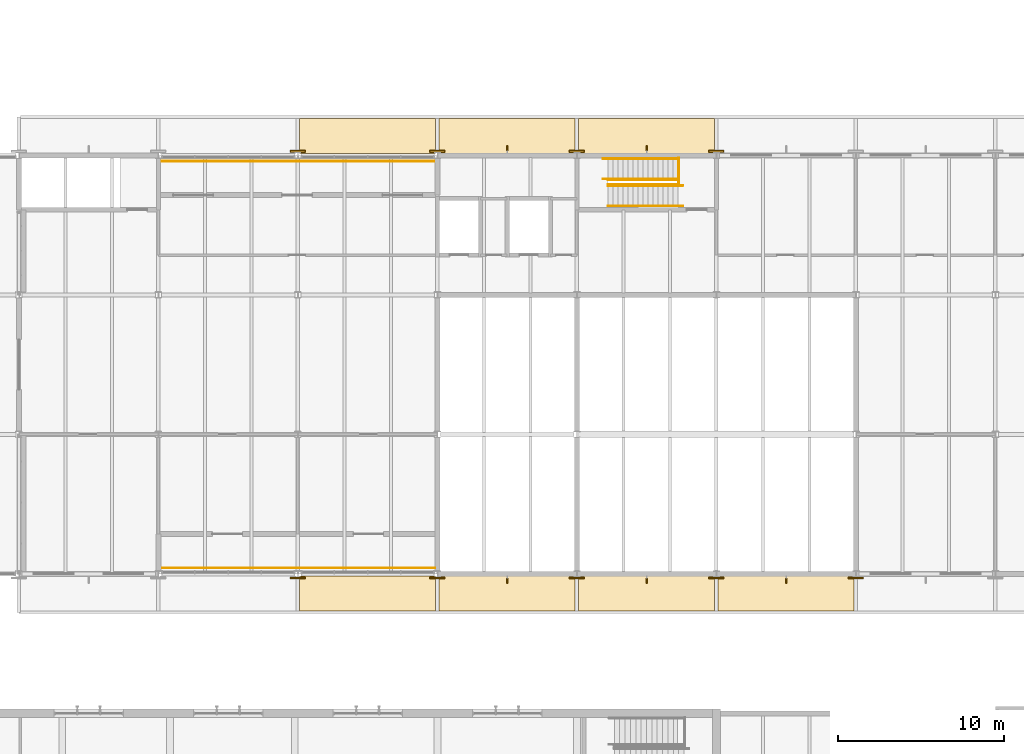
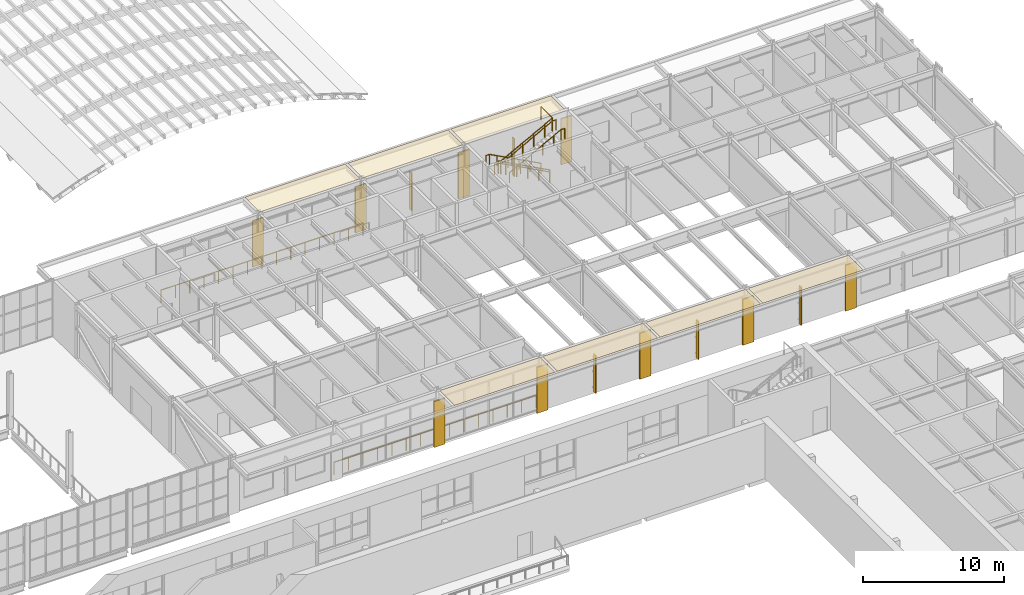
# One storey, part 114 of 116: 16 coverings, 9 railings, 5 shading devices.
"""IFC4 building model written with IfcOpenShell, lengths in metres."""

from ifc_helpers import new_model, si_unit, direction, frame, origin, origin_2d, place, context, subcontext, project, spatial, polyline, rectangle, circle, outline, extrude, material, layer, layer_set, type_object, element, save


model = new_model("IFC4")

# Units and contexts
model_context = context("Model", 3, precision=1e-05, world=origin(), true_north=direction((0.0, 1.0)))
body_context = subcontext(model_context, "Body", "Model", "MODEL_VIEW")
ifc_project = project(units=[si_unit("LENGTHUNIT", "METRE"), si_unit("AREAUNIT", "SQUARE_METRE"), si_unit("VOLUMEUNIT", "CUBIC_METRE"), si_unit("PLANEANGLEUNIT", "RADIAN"), si_unit("MASSUNIT", "GRAM", prefix="KILO")], contexts=[model_context])

# Site, building, storey
site_placement = place(None, origin())
site = spatial("IfcSite", under=ifc_project, at=site_placement, CompositionType="ELEMENT")
building_placement = place(site_placement, origin())
building = spatial("IfcBuilding", under=site, at=building_placement, Name="Ljudholm Concert House", CompositionType="ELEMENT")
storey_placement = place(building_placement, frame((0.0, 0.0, 10.199951171875)))
storey = spatial("IfcBuildingStorey", under=building, at=storey_placement, Name="L02", CompositionType="ELEMENT", Elevation=10.199951171875)

# Coverings
ifc_material_1 = material(Name="Aluminium extrusion with timber-grain PVDF finish", Category="aluminium")
ifc_layer_1 = layer(ifc_material_1, 0.030029296875)
ifc_layer_set_1 = layer_set([ifc_layer_1], Name="Aluminium extrusion with timber-grain PVDF finish")
covering_type_1 = type_object("IfcCoveringType", Name="ALUMINIUM EXTRUSION WITH TIMBER-GRAIN PVDF FINISH CEILING 30", PredefinedType="CEILING", material=ifc_layer_set_1)
covering_1_placement = place(storey_placement, frame((0.0, 0.0, 4.590087890625)))
element("IfcCovering", 1, at=covering_1_placement, inside=storey, type_object=covering_type_1, Name="Eave soffit", PredefinedType="CEILING", context=body_context, shape_type="SweptSolid", body=[
    extrude(outline(polyline([(71.3046875, 102.577880859375), (79.495361328125, 102.577880859375), (79.495361328125, 104.685546875), (71.3046875, 104.685546875), (71.3046875, 102.577880859375)])), origin(), (0.0, 0.0, 1.0), 0.030029296875),
])
covering_2_placement = place(storey_placement, frame((0.0, 0.0, 4.590087890625)))
element("IfcCovering", 2, at=covering_2_placement, inside=storey, type_object=covering_type_1, Name="Eave soffit", PredefinedType="CEILING", context=body_context, shape_type="SweptSolid", body=[
    extrude(outline(polyline([(79.70458984375, 102.577880859375), (87.895263671875, 102.577880859375), (87.895263671875, 104.685546875), (79.70458984375, 104.685546875), (79.70458984375, 102.577880859375)])), origin(), (0.0, 0.0, 1.0), 0.030029296875),
])
covering_3_placement = place(storey_placement, frame((0.0, 0.0, 4.590087890625)))
element("IfcCovering", 3, at=covering_3_placement, inside=storey, type_object=covering_type_1, Name="Eave soffit", PredefinedType="CEILING", context=body_context, shape_type="SweptSolid", body=[
    extrude(outline(polyline([(88.104736328125, 102.577880859375), (96.29541015625, 102.577880859375), (96.29541015625, 104.685546875), (88.104736328125, 104.685546875), (88.104736328125, 102.577880859375)])), origin(), (0.0, 0.0, 1.0), 0.030029296875),
])
covering_4_placement = place(storey_placement, frame((0.0, 0.0, 4.590087890625)))
element("IfcCovering", 4, at=covering_4_placement, inside=storey, type_object=covering_type_1, Name="Eave soffit", PredefinedType="CEILING", context=body_context, shape_type="SweptSolid", body=[
    extrude(outline(polyline([(96.504638671875, 102.577880859375), (104.6953125, 102.577880859375), (104.6953125, 104.685546875), (96.504638671875, 104.685546875), (96.504638671875, 102.577880859375)])), origin(), (0.0, 0.0, 1.0), 0.030029296875),
])
covering_5_placement = place(storey_placement, frame((0.0, 0.0, 4.590087890625)))
element("IfcCovering", 5, at=covering_5_placement, inside=storey, type_object=covering_type_1, Name="Eave soffit", PredefinedType="CEILING", context=body_context, shape_type="SweptSolid", body=[
    extrude(outline(polyline([(71.3046875, 130.114501953125), (79.495361328125, 130.114501953125), (79.495361328125, 132.22216796875), (71.3046875, 132.22216796875), (71.3046875, 130.114501953125)])), origin(), (0.0, 0.0, 1.0), 0.030029296875),
])
covering_6_placement = place(storey_placement, frame((0.0, 0.0, 4.590087890625)))
element("IfcCovering", 6, at=covering_6_placement, inside=storey, type_object=covering_type_1, Name="Eave soffit", PredefinedType="CEILING", context=body_context, shape_type="SweptSolid", body=[
    extrude(outline(polyline([(79.70458984375, 130.114501953125), (87.895263671875, 130.114501953125), (87.895263671875, 132.22216796875), (79.70458984375, 132.22216796875), (79.70458984375, 130.114501953125)])), origin(), (0.0, 0.0, 1.0), 0.030029296875),
])
covering_7_placement = place(storey_placement, frame((0.0, 0.0, 4.590087890625)))
element("IfcCovering", 7, at=covering_7_placement, inside=storey, type_object=covering_type_1, Name="Eave soffit", PredefinedType="CEILING", context=body_context, shape_type="SweptSolid", body=[
    extrude(outline(polyline([(88.104736328125, 130.114501953125), (96.29541015625, 130.114501953125), (96.29541015625, 132.22216796875), (88.104736328125, 132.22216796875), (88.104736328125, 130.114501953125)])), origin(), (0.0, 0.0, 1.0), 0.030029296875),
])

# Shading devices
ifc_material_2 = material(Name="Aluminium extrusion with timber-grain PVDF finish", Category="aluminium")
shading_device_type = type_object("IfcShadingDeviceType", Name="FACADE FIN 300x80", PredefinedType="SHUTTER", material=ifc_material_2)
for number, where, z_axis, x_axis, name in (
    (8, (83.800048828125, 130.419921875, 0.25), (0.0, 0.0, 1.0), (0.0, 1.0, 0.0), "Facade fin"),
    (9, (92.199951171875, 130.419921875, 0.25), (0.0, 0.0, 1.0), (0.0, 1.0, 0.0), "Facade fin"),
    (10, (83.800048828125, 104.3798828125, 0.25), (0.0, 0.0, 1.0), (0.0, -1.0, 0.0), "Facade fin"),
    (11, (92.199951171875, 104.3798828125, 0.25), (0.0, 0.0, 1.0), (0.0, -1.0, 0.0), "Facade fin"),
    (12, (100.60009765625, 104.3798828125, 0.25), (0.0, 0.0, 1.0), (0.0, -1.0, 0.0), "Facade fin"),
):
    element("IfcShadingDevice", number, at=place(storey_placement, frame(where, z_axis=z_axis, x_axis=x_axis)), inside=storey, type_object=shading_device_type, Name=name, PredefinedType="SHUTTER", context=body_context, shape_type="SweptSolid", body=[
        extrude(rectangle(XDim=0.300048828125, YDim=0.080078125, at=origin_2d()), origin(), (0.0, 0.0, 1.0), 3.27001953125),
    ])

# Railings
ifc_material_3 = material(Name="Steel ASTM A36", Category="steel")
railing_type_1 = type_object("IfcRailingType", Name="GUARD 1100", PredefinedType="GUARDRAIL", material=ifc_material_3)
railing_1_placement = place(storey_placement, frame((94.074951171875, 128.52490234375, 0.16015625)))
element("IfcRailing", 13, at=railing_1_placement, inside=storey, type_object=railing_type_1, Name="Guard", PredefinedType="GUARDRAIL", context=body_context, shape_type="SweptSolid", body=[
    extrude(circle(Radius=0.02490234375, at=origin_2d()), frame((0.0, 0.0, 1.0751953125), z_axis=(-0.88233968818, 0.0, 0.47061308382), x_axis=(0.0, -1.0, 0.0)), (0.0, 0.0, 1.0), 1.02001953125),
    extrude(circle(Radius=0.02490234375, at=origin_2d()), frame((-0.89990234375, 0.0, 1.55517578125), z_axis=(-0.882392687573, 0.0, 0.470513703219), x_axis=(0.0, -1.0, 0.0)), (0.0, 0.0, 1.0), 1.02001953125),
    extrude(circle(Radius=0.02490234375, at=origin_2d()), frame((-1.800048828125, 0.0, 2.03515625), z_axis=(-0.88233968818, 0.0, 0.47061308382), x_axis=(0.0, -1.0, 0.0)), (0.0, 0.0, 1.0), 1.02001953125),
    extrude(circle(Radius=0.02490234375, at=origin_2d()), frame((-2.699951171875, 0.0, 2.51513671875), z_axis=(-0.88233968818, 0.0, 0.47061308382), x_axis=(0.0, -1.0, 0.0)), (0.0, 0.0, 1.0), 1.02001953125),
    extrude(circle(Radius=0.02490234375, at=origin_2d()), frame((-3.599853515625, 0.0, 2.9951171875), z_axis=(-0.882343004153, 0.0, 0.470606866739), x_axis=(0.0, -1.0, 0.0)), (0.0, 0.0, 1.0), 0.68017578125),
    extrude(circle(Radius=0.02099609375, at=origin_2d()), origin(), (0.0, 0.0, 1.0), 1.050048828125),
    extrude(circle(Radius=0.02099609375, at=origin_2d()), frame((-0.89990234375, 0.0, 0.47998046875)), (0.0, 0.0, 1.0), 1.050048828125),
    extrude(circle(Radius=0.02099609375, at=origin_2d()), frame((-1.800048828125, 0.0, 0.9599609375)), (0.0, 0.0, 1.0), 1.050048828125),
    extrude(circle(Radius=0.02099609375, at=origin_2d()), frame((-2.699951171875, 0.0, 1.43994140625)), (0.0, 0.0, 1.0), 1.050048828125),
    extrude(circle(Radius=0.02099609375, at=origin_2d()), frame((-3.599853515625, 0.0, 1.919921875)), (0.0, 0.0, 1.0), 1.050048828125),
    extrude(circle(Radius=0.02099609375, at=origin_2d()), frame((-4.199951171875, 0.0, 2.239990234375)), (0.0, 0.0, 1.0), 1.050048828125),
])
railing_2_placement = place(storey_placement, frame((89.875, 128.22509765625, 2.56005859375)))
element("IfcRailing", 14, at=railing_2_placement, inside=storey, type_object=railing_type_1, Name="Guard", PredefinedType="GUARDRAIL", context=body_context, shape_type="SweptSolid", body=[
    extrude(circle(Radius=0.02490234375, at=origin_2d()), frame((0.0, 0.0, 1.0751953125), z_axis=(0.88233968818, 0.0, 0.47061308382), x_axis=(0.0, 1.0, 0.0)), (0.0, 0.0, 1.0), 1.02001953125),
    extrude(circle(Radius=0.02490234375, at=origin_2d()), frame((0.89990234375, 0.0, 1.55517578125), z_axis=(0.882392687573, 0.0, 0.470513703219), x_axis=(0.0, 1.0, 0.0)), (0.0, 0.0, 1.0), 1.02001953125),
    extrude(circle(Radius=0.02490234375, at=origin_2d()), frame((1.800048828125, 0.0, 2.03515625), z_axis=(0.88233968818, 0.0, 0.47061308382), x_axis=(0.0, 1.0, 0.0)), (0.0, 0.0, 1.0), 1.02001953125),
    extrude(circle(Radius=0.02490234375, at=origin_2d()), frame((2.699951171875, 0.0, 2.51513671875), z_axis=(0.882392687573, 0.0, 0.470513703219), x_axis=(0.0, 1.0, 0.0)), (0.0, 0.0, 1.0), 1.02001953125),
    extrude(circle(Radius=0.02490234375, at=origin_2d()), frame((3.60009765625, 0.0, 2.9951171875), z_axis=(0.88226346546, 0.0, 0.470755963866), x_axis=(0.0, 1.0, 0.0)), (0.0, 0.0, 1.0), 0.679931640625),
    extrude(circle(Radius=0.02099609375, at=origin_2d()), origin(), (0.0, 0.0, 1.0), 1.050048828125),
    extrude(circle(Radius=0.02099609375, at=origin_2d()), frame((0.89990234375, 0.0, 0.47998046875)), (0.0, 0.0, 1.0), 1.050048828125),
    extrude(circle(Radius=0.02099609375, at=origin_2d()), frame((1.800048828125, 0.0, 0.9599609375)), (0.0, 0.0, 1.0), 1.050048828125),
    extrude(circle(Radius=0.02099609375, at=origin_2d()), frame((2.699951171875, 0.0, 1.43994140625)), (0.0, 0.0, 1.0), 1.050048828125),
    extrude(circle(Radius=0.02099609375, at=origin_2d()), frame((3.60009765625, 0.0, 1.919921875)), (0.0, 0.0, 1.0), 1.050048828125),
    extrude(circle(Radius=0.02099609375, at=origin_2d()), frame((4.199951171875, 0.0, 2.239990234375)), (0.0, 0.0, 1.0), 1.050048828125),
])
railing_3_placement = place(storey_placement, frame((94.125, 129.85009765625, 4.800048828125)))
element("IfcRailing", 15, at=railing_3_placement, inside=storey, type_object=railing_type_1, Name="Guard", PredefinedType="GUARDRAIL", context=body_context, shape_type="SweptSolid", body=[
    extrude(circle(Radius=0.02490234375, at=origin_2d()), frame((0.0, 0.0, 1.0751953125), z_axis=(0.0, -1.0, 0.0), x_axis=(1.0, 0.0, 0.0)), (0.0, 0.0, 1.0), 1.60009765625),
    extrude(circle(Radius=0.02099609375, at=origin_2d()), origin(), (0.0, 0.0, 1.0), 1.050048828125),
    extrude(circle(Radius=0.02099609375, at=origin_2d()), frame((0.0, -1.60009765625, 0.0)), (0.0, 0.0, 1.0), 1.050048828125),
])
ifc_material_4 = material(Name="Steel ASTM A36", Category="steel")
railing_type_2 = type_object("IfcRailingType", Name="GUARD 1100 EXTERNAL", PredefinedType="GUARDRAIL", material=ifc_material_4)
railing_4_placement = place(storey_placement, frame((62.949951171875, 105.14990234375, 0.0)))
element("IfcRailing", 16, at=railing_4_placement, inside=storey, type_object=railing_type_2, Name="Loggia guard", PredefinedType="GUARDRAIL", context=body_context, shape_type="SweptSolid", body=[
    extrude(circle(Radius=0.02490234375, at=origin_2d()), frame((0.0, 0.0, 1.0751953125), z_axis=(1.0, 0.0, 0.0), x_axis=(0.0, 1.0, 0.0)), (0.0, 0.0, 1.0), 16.5),
    extrude(circle(Radius=0.02099609375, at=origin_2d()), origin(), (0.0, 0.0, 1.0), 1.050048828125),
    extrude(circle(Radius=0.02099609375, at=origin_2d()), frame((1.178466796875, 0.0, 0.0)), (0.0, 0.0, 1.0), 1.050048828125),
    extrude(circle(Radius=0.02099609375, at=origin_2d()), frame((2.357177734375, 0.0, 0.0)), (0.0, 0.0, 1.0), 1.050048828125),
    extrude(circle(Radius=0.02099609375, at=origin_2d()), frame((3.53564453125, 0.0, 0.0)), (0.0, 0.0, 1.0), 1.050048828125),
    extrude(circle(Radius=0.02099609375, at=origin_2d()), frame((4.71435546875, 0.0, 0.0)), (0.0, 0.0, 1.0), 1.050048828125),
    extrude(circle(Radius=0.02099609375, at=origin_2d()), frame((5.892822265625, 0.0, 0.0)), (0.0, 0.0, 1.0), 1.050048828125),
    extrude(circle(Radius=0.02099609375, at=origin_2d()), frame((7.071533203125, 0.0, 0.0)), (0.0, 0.0, 1.0), 1.050048828125),
    extrude(circle(Radius=0.02099609375, at=origin_2d()), frame((8.25, 0.0, 0.0)), (0.0, 0.0, 1.0), 1.050048828125),
    extrude(circle(Radius=0.02099609375, at=origin_2d()), frame((9.428466796875, 0.0, 0.0)), (0.0, 0.0, 1.0), 1.050048828125),
    extrude(circle(Radius=0.02099609375, at=origin_2d()), frame((10.607177734375, 0.0, 0.0)), (0.0, 0.0, 1.0), 1.050048828125),
    extrude(circle(Radius=0.02099609375, at=origin_2d()), frame((11.78564453125, 0.0, 0.0)), (0.0, 0.0, 1.0), 1.050048828125),
    extrude(circle(Radius=0.02099609375, at=origin_2d()), frame((12.96435546875, 0.0, 0.0)), (0.0, 0.0, 1.0), 1.050048828125),
    extrude(circle(Radius=0.02099609375, at=origin_2d()), frame((14.142822265625, 0.0, 0.0)), (0.0, 0.0, 1.0), 1.050048828125),
    extrude(circle(Radius=0.02099609375, at=origin_2d()), frame((15.321533203125, 0.0, 0.0)), (0.0, 0.0, 1.0), 1.050048828125),
    extrude(circle(Radius=0.02099609375, at=origin_2d()), frame((16.5, 0.0, 0.0)), (0.0, 0.0, 1.0), 1.050048828125),
])
railing_5_placement = place(storey_placement, frame((62.949951171875, 129.64990234375, 0.0)))
element("IfcRailing", 17, at=railing_5_placement, inside=storey, type_object=railing_type_2, Name="Loggia guard", PredefinedType="GUARDRAIL", context=body_context, shape_type="SweptSolid", body=[
    extrude(circle(Radius=0.02490234375, at=origin_2d()), frame((0.0, 0.0, 1.0751953125), z_axis=(1.0, 0.0, 0.0), x_axis=(0.0, 1.0, 0.0)), (0.0, 0.0, 1.0), 16.5),
    extrude(circle(Radius=0.02099609375, at=origin_2d()), origin(), (0.0, 0.0, 1.0), 1.050048828125),
    extrude(circle(Radius=0.02099609375, at=origin_2d()), frame((1.178466796875, 0.0, 0.0)), (0.0, 0.0, 1.0), 1.050048828125),
    extrude(circle(Radius=0.02099609375, at=origin_2d()), frame((2.357177734375, 0.0, 0.0)), (0.0, 0.0, 1.0), 1.050048828125),
    extrude(circle(Radius=0.02099609375, at=origin_2d()), frame((3.53564453125, 0.0, 0.0)), (0.0, 0.0, 1.0), 1.050048828125),
    extrude(circle(Radius=0.02099609375, at=origin_2d()), frame((4.71435546875, 0.0, 0.0)), (0.0, 0.0, 1.0), 1.050048828125),
    extrude(circle(Radius=0.02099609375, at=origin_2d()), frame((5.892822265625, 0.0, 0.0)), (0.0, 0.0, 1.0), 1.050048828125),
    extrude(circle(Radius=0.02099609375, at=origin_2d()), frame((7.071533203125, 0.0, 0.0)), (0.0, 0.0, 1.0), 1.050048828125),
    extrude(circle(Radius=0.02099609375, at=origin_2d()), frame((8.25, 0.0, 0.0)), (0.0, 0.0, 1.0), 1.050048828125),
    extrude(circle(Radius=0.02099609375, at=origin_2d()), frame((9.428466796875, 0.0, 0.0)), (0.0, 0.0, 1.0), 1.050048828125),
    extrude(circle(Radius=0.02099609375, at=origin_2d()), frame((10.607177734375, 0.0, 0.0)), (0.0, 0.0, 1.0), 1.050048828125),
    extrude(circle(Radius=0.02099609375, at=origin_2d()), frame((11.78564453125, 0.0, 0.0)), (0.0, 0.0, 1.0), 1.050048828125),
    extrude(circle(Radius=0.02099609375, at=origin_2d()), frame((12.96435546875, 0.0, 0.0)), (0.0, 0.0, 1.0), 1.050048828125),
    extrude(circle(Radius=0.02099609375, at=origin_2d()), frame((14.142822265625, 0.0, 0.0)), (0.0, 0.0, 1.0), 1.050048828125),
    extrude(circle(Radius=0.02099609375, at=origin_2d()), frame((15.321533203125, 0.0, 0.0)), (0.0, 0.0, 1.0), 1.050048828125),
    extrude(circle(Radius=0.02099609375, at=origin_2d()), frame((16.5, 0.0, 0.0)), (0.0, 0.0, 1.0), 1.050048828125),
])
ifc_material_5 = material(Name="Steel ASTM A36", Category="steel")
railing_type_3 = type_object("IfcRailingType", Name="HANDRAIL 900", PredefinedType="HANDRAIL", material=ifc_material_5)
railing_6_placement = place(storey_placement, frame((94.074951171875, 128.574951171875, 0.16015625)))
element("IfcRailing", 18, at=railing_6_placement, inside=storey, type_object=railing_type_3, Name="Handrail", PredefinedType="HANDRAIL", context=body_context, shape_type="SweptSolid", body=[
    extrude(circle(Radius=0.0224609375, at=origin_2d()), frame((0.0, 0.0, 0.87744140625), z_axis=(-0.88233968818, 0.0, 0.47061308382), x_axis=(0.0, -1.0, 0.0)), (0.0, 0.0, 1.0), 1.02001953125),
    extrude(circle(Radius=0.0224609375, at=origin_2d()), frame((-0.89990234375, 0.0, 1.357421875), z_axis=(-0.882392687573, 0.0, 0.470513703219), x_axis=(0.0, -1.0, 0.0)), (0.0, 0.0, 1.0), 1.02001953125),
    extrude(circle(Radius=0.0224609375, at=origin_2d()), frame((-1.800048828125, 0.0, 1.83740234375), z_axis=(-0.88233968818, 0.0, 0.47061308382), x_axis=(0.0, -1.0, 0.0)), (0.0, 0.0, 1.0), 1.02001953125),
    extrude(circle(Radius=0.0224609375, at=origin_2d()), frame((-2.699951171875, 0.0, 2.3173828125), z_axis=(-0.88233968818, 0.0, 0.47061308382), x_axis=(0.0, -1.0, 0.0)), (0.0, 0.0, 1.0), 1.02001953125),
    extrude(circle(Radius=0.0224609375, at=origin_2d()), frame((-3.599853515625, 0.0, 2.79736328125), z_axis=(-0.882343004153, 0.0, 0.470606866739), x_axis=(0.0, -1.0, 0.0)), (0.0, 0.0, 1.0), 0.68017578125),
    extrude(circle(Radius=0.0224609375, at=origin_2d()), frame((-4.199951171875, 0.0, 3.117431640625), z_axis=(-1.0, 0.0, 0.0), x_axis=(0.0, -1.0, 0.0)), (0.0, 0.0, 1.0), 0.300048828125),
    extrude(circle(Radius=0.02099609375, at=origin_2d()), origin(), (0.0, 0.0, 1.0), 0.85498046875),
    extrude(circle(Radius=0.02099609375, at=origin_2d()), frame((-0.89990234375, 0.0, 0.47998046875)), (0.0, 0.0, 1.0), 0.85498046875),
    extrude(circle(Radius=0.02099609375, at=origin_2d()), frame((-1.800048828125, 0.0, 0.9599609375)), (0.0, 0.0, 1.0), 0.85498046875),
    extrude(circle(Radius=0.02099609375, at=origin_2d()), frame((-2.699951171875, 0.0, 1.43994140625)), (0.0, 0.0, 1.0), 0.85498046875),
    extrude(circle(Radius=0.02099609375, at=origin_2d()), frame((-3.599853515625, 0.0, 1.919921875)), (0.0, 0.0, 1.0), 0.85498046875),
    extrude(circle(Radius=0.02099609375, at=origin_2d()), frame((-4.199951171875, 0.0, 2.239990234375)), (0.0, 0.0, 1.0), 0.85498046875),
    extrude(circle(Radius=0.02099609375, at=origin_2d()), frame((-4.5, 0.0, 2.239990234375)), (0.0, 0.0, 1.0), 0.85498046875),
])
railing_7_placement = place(storey_placement, frame((94.074951171875, 129.800048828125, 0.16015625)))
element("IfcRailing", 19, at=railing_7_placement, inside=storey, type_object=railing_type_3, Name="Handrail", PredefinedType="HANDRAIL", context=body_context, shape_type="SweptSolid", body=[
    extrude(circle(Radius=0.0224609375, at=origin_2d()), frame((0.0, 0.0, 0.87744140625), z_axis=(-0.88233968818, 0.0, 0.47061308382), x_axis=(0.0, -1.0, 0.0)), (0.0, 0.0, 1.0), 1.02001953125),
    extrude(circle(Radius=0.0224609375, at=origin_2d()), frame((-0.89990234375, 0.0, 1.357421875), z_axis=(-0.882392687573, 0.0, 0.470513703219), x_axis=(0.0, -1.0, 0.0)), (0.0, 0.0, 1.0), 1.02001953125),
    extrude(circle(Radius=0.0224609375, at=origin_2d()), frame((-1.800048828125, 0.0, 1.83740234375), z_axis=(-0.88233968818, 0.0, 0.47061308382), x_axis=(0.0, -1.0, 0.0)), (0.0, 0.0, 1.0), 1.02001953125),
    extrude(circle(Radius=0.0224609375, at=origin_2d()), frame((-2.699951171875, 0.0, 2.3173828125), z_axis=(-0.88233968818, 0.0, 0.47061308382), x_axis=(0.0, -1.0, 0.0)), (0.0, 0.0, 1.0), 1.02001953125),
    extrude(circle(Radius=0.0224609375, at=origin_2d()), frame((-3.599853515625, 0.0, 2.79736328125), z_axis=(-0.882343004153, 0.0, 0.470606866739), x_axis=(0.0, -1.0, 0.0)), (0.0, 0.0, 1.0), 0.68017578125),
    extrude(circle(Radius=0.0224609375, at=origin_2d()), frame((-4.199951171875, 0.0, 3.117431640625), z_axis=(-1.0, 0.0, 0.0), x_axis=(0.0, -1.0, 0.0)), (0.0, 0.0, 1.0), 0.300048828125),
    extrude(circle(Radius=0.02099609375, at=origin_2d()), origin(), (0.0, 0.0, 1.0), 0.85498046875),
    extrude(circle(Radius=0.02099609375, at=origin_2d()), frame((-0.89990234375, 0.0, 0.47998046875)), (0.0, 0.0, 1.0), 0.85498046875),
    extrude(circle(Radius=0.02099609375, at=origin_2d()), frame((-1.800048828125, 0.0, 0.9599609375)), (0.0, 0.0, 1.0), 0.85498046875),
    extrude(circle(Radius=0.02099609375, at=origin_2d()), frame((-2.699951171875, 0.0, 1.43994140625)), (0.0, 0.0, 1.0), 0.85498046875),
    extrude(circle(Radius=0.02099609375, at=origin_2d()), frame((-3.599853515625, 0.0, 1.919921875)), (0.0, 0.0, 1.0), 0.85498046875),
    extrude(circle(Radius=0.02099609375, at=origin_2d()), frame((-4.199951171875, 0.0, 2.239990234375)), (0.0, 0.0, 1.0), 0.85498046875),
    extrude(circle(Radius=0.02099609375, at=origin_2d()), frame((-4.5, 0.0, 2.239990234375)), (0.0, 0.0, 1.0), 0.85498046875),
])
railing_8_placement = place(storey_placement, frame((89.875, 128.175048828125, 2.56005859375)))
element("IfcRailing", 20, at=railing_8_placement, inside=storey, type_object=railing_type_3, Name="Handrail", PredefinedType="HANDRAIL", context=body_context, shape_type="SweptSolid", body=[
    extrude(circle(Radius=0.0224609375, at=origin_2d()), frame((0.0, 0.0, 0.87744140625), z_axis=(0.88233968818, 0.0, 0.47061308382), x_axis=(0.0, 1.0, 0.0)), (0.0, 0.0, 1.0), 1.02001953125),
    extrude(circle(Radius=0.0224609375, at=origin_2d()), frame((0.89990234375, 0.0, 1.357421875), z_axis=(0.882392687573, 0.0, 0.470513703219), x_axis=(0.0, 1.0, 0.0)), (0.0, 0.0, 1.0), 1.02001953125),
    extrude(circle(Radius=0.0224609375, at=origin_2d()), frame((1.800048828125, 0.0, 1.83740234375), z_axis=(0.88233968818, 0.0, 0.47061308382), x_axis=(0.0, 1.0, 0.0)), (0.0, 0.0, 1.0), 1.02001953125),
    extrude(circle(Radius=0.0224609375, at=origin_2d()), frame((2.699951171875, 0.0, 2.3173828125), z_axis=(0.882392687573, 0.0, 0.470513703219), x_axis=(0.0, 1.0, 0.0)), (0.0, 0.0, 1.0), 1.02001953125),
    extrude(circle(Radius=0.0224609375, at=origin_2d()), frame((3.60009765625, 0.0, 2.79736328125), z_axis=(0.88226346546, 0.0, 0.470755963866), x_axis=(0.0, 1.0, 0.0)), (0.0, 0.0, 1.0), 0.679931640625),
    extrude(circle(Radius=0.0224609375, at=origin_2d()), frame((4.199951171875, 0.0, 3.117431640625), z_axis=(1.0, 0.0, 0.0), x_axis=(0.0, 1.0, 0.0)), (0.0, 0.0, 1.0), 0.300048828125),
    extrude(circle(Radius=0.02099609375, at=origin_2d()), origin(), (0.0, 0.0, 1.0), 0.85498046875),
    extrude(circle(Radius=0.02099609375, at=origin_2d()), frame((0.89990234375, 0.0, 0.47998046875)), (0.0, 0.0, 1.0), 0.85498046875),
    extrude(circle(Radius=0.02099609375, at=origin_2d()), frame((1.800048828125, 0.0, 0.9599609375)), (0.0, 0.0, 1.0), 0.85498046875),
    extrude(circle(Radius=0.02099609375, at=origin_2d()), frame((2.699951171875, 0.0, 1.43994140625)), (0.0, 0.0, 1.0), 0.85498046875),
    extrude(circle(Radius=0.02099609375, at=origin_2d()), frame((3.60009765625, 0.0, 1.919921875)), (0.0, 0.0, 1.0), 0.85498046875),
    extrude(circle(Radius=0.02099609375, at=origin_2d()), frame((4.199951171875, 0.0, 2.239990234375)), (0.0, 0.0, 1.0), 0.85498046875),
    extrude(circle(Radius=0.02099609375, at=origin_2d()), frame((4.5, 0.0, 2.239990234375)), (0.0, 0.0, 1.0), 0.85498046875),
])
railing_9_placement = place(storey_placement, frame((89.875, 126.949951171875, 2.56005859375)))
element("IfcRailing", 21, at=railing_9_placement, inside=storey, type_object=railing_type_3, Name="Handrail", PredefinedType="HANDRAIL", context=body_context, shape_type="SweptSolid", body=[
    extrude(circle(Radius=0.0224609375, at=origin_2d()), frame((0.0, 0.0, 0.87744140625), z_axis=(0.88233968818, 0.0, 0.47061308382), x_axis=(0.0, 1.0, 0.0)), (0.0, 0.0, 1.0), 1.02001953125),
    extrude(circle(Radius=0.0224609375, at=origin_2d()), frame((0.89990234375, 0.0, 1.357421875), z_axis=(0.882392687573, 0.0, 0.470513703219), x_axis=(0.0, 1.0, 0.0)), (0.0, 0.0, 1.0), 1.02001953125),
    extrude(circle(Radius=0.0224609375, at=origin_2d()), frame((1.800048828125, 0.0, 1.83740234375), z_axis=(0.88233968818, 0.0, 0.47061308382), x_axis=(0.0, 1.0, 0.0)), (0.0, 0.0, 1.0), 1.02001953125),
    extrude(circle(Radius=0.0224609375, at=origin_2d()), frame((2.699951171875, 0.0, 2.3173828125), z_axis=(0.882392687573, 0.0, 0.470513703219), x_axis=(0.0, 1.0, 0.0)), (0.0, 0.0, 1.0), 1.02001953125),
    extrude(circle(Radius=0.0224609375, at=origin_2d()), frame((3.60009765625, 0.0, 2.79736328125), z_axis=(0.88226346546, 0.0, 0.470755963866), x_axis=(0.0, 1.0, 0.0)), (0.0, 0.0, 1.0), 0.679931640625),
    extrude(circle(Radius=0.0224609375, at=origin_2d()), frame((4.199951171875, 0.0, 3.117431640625), z_axis=(1.0, 0.0, 0.0), x_axis=(0.0, 1.0, 0.0)), (0.0, 0.0, 1.0), 0.300048828125),
    extrude(circle(Radius=0.02099609375, at=origin_2d()), origin(), (0.0, 0.0, 1.0), 0.85498046875),
    extrude(circle(Radius=0.02099609375, at=origin_2d()), frame((0.89990234375, 0.0, 0.47998046875)), (0.0, 0.0, 1.0), 0.85498046875),
    extrude(circle(Radius=0.02099609375, at=origin_2d()), frame((1.800048828125, 0.0, 0.9599609375)), (0.0, 0.0, 1.0), 0.85498046875),
    extrude(circle(Radius=0.02099609375, at=origin_2d()), frame((2.699951171875, 0.0, 1.43994140625)), (0.0, 0.0, 1.0), 0.85498046875),
    extrude(circle(Radius=0.02099609375, at=origin_2d()), frame((3.60009765625, 0.0, 1.919921875)), (0.0, 0.0, 1.0), 0.85498046875),
    extrude(circle(Radius=0.02099609375, at=origin_2d()), frame((4.199951171875, 0.0, 2.239990234375)), (0.0, 0.0, 1.0), 0.85498046875),
    extrude(circle(Radius=0.02099609375, at=origin_2d()), frame((4.5, 0.0, 2.239990234375)), (0.0, 0.0, 1.0), 0.85498046875),
])

# Coverings
ifc_material_6 = material(Name="Precast concrete, limestone aggregate", Category="masonry")
ifc_layer_2 = layer(ifc_material_6, 0.110107421875)
ifc_layer_set_2 = layer_set([ifc_layer_2], Name="Precast concrete, limestone aggregate")
covering_type_2 = type_object("IfcCoveringType", Name="PRECAST CONCRETE, LIMESTONE AGGREGATE CLADDING 110", PredefinedType="CLADDING", material=ifc_layer_set_2)
for number, where, z_axis, x_axis, name in (
    (22, (71.199951171875, 130.2451171875, 0.0), (0.0, 0.0, 1.0), (0.0, 1.0, 0.0), "Pilaster cladding"),
    (23, (79.60009765625, 130.2451171875, 0.0), (0.0, 0.0, 1.0), (0.0, 1.0, 0.0), "Pilaster cladding"),
    (24, (88.0, 130.2451171875, 0.0), (0.0, 0.0, 1.0), (0.0, 1.0, 0.0), "Pilaster cladding"),
    (25, (96.39990234375, 130.2451171875, 0.0), (0.0, 0.0, 1.0), (0.0, 1.0, 0.0), "Pilaster cladding"),
    (26, (71.199951171875, 104.554931640625, 0.0), (0.0, 0.0, 1.0), (0.0, -1.0, 0.0), "Pilaster cladding"),
    (27, (79.60009765625, 104.554931640625, 0.0), (0.0, 0.0, 1.0), (0.0, -1.0, 0.0), "Pilaster cladding"),
    (28, (88.0, 104.554931640625, 0.0), (0.0, 0.0, 1.0), (0.0, -1.0, 0.0), "Pilaster cladding"),
    (29, (96.39990234375, 104.554931640625, 0.0), (0.0, 0.0, 1.0), (0.0, -1.0, 0.0), "Pilaster cladding"),
    (30, (104.800048828125, 104.554931640625, 0.0), (0.0, 0.0, 1.0), (0.0, -1.0, 0.0), "Pilaster cladding"),
):
    element("IfcCovering", number, at=place(storey_placement, frame(where, z_axis=z_axis, x_axis=x_axis)), inside=storey, type_object=covering_type_2, Name=name, PredefinedType="CLADDING", context=body_context, shape_type="SweptSolid", body=[
        extrude(rectangle(XDim=0.110107421875, YDim=0.89990234375, at=origin_2d()), origin(), (0.0, 0.0, 1.0), 3.969970703125),
    ])

save(model, "model.ifc")
